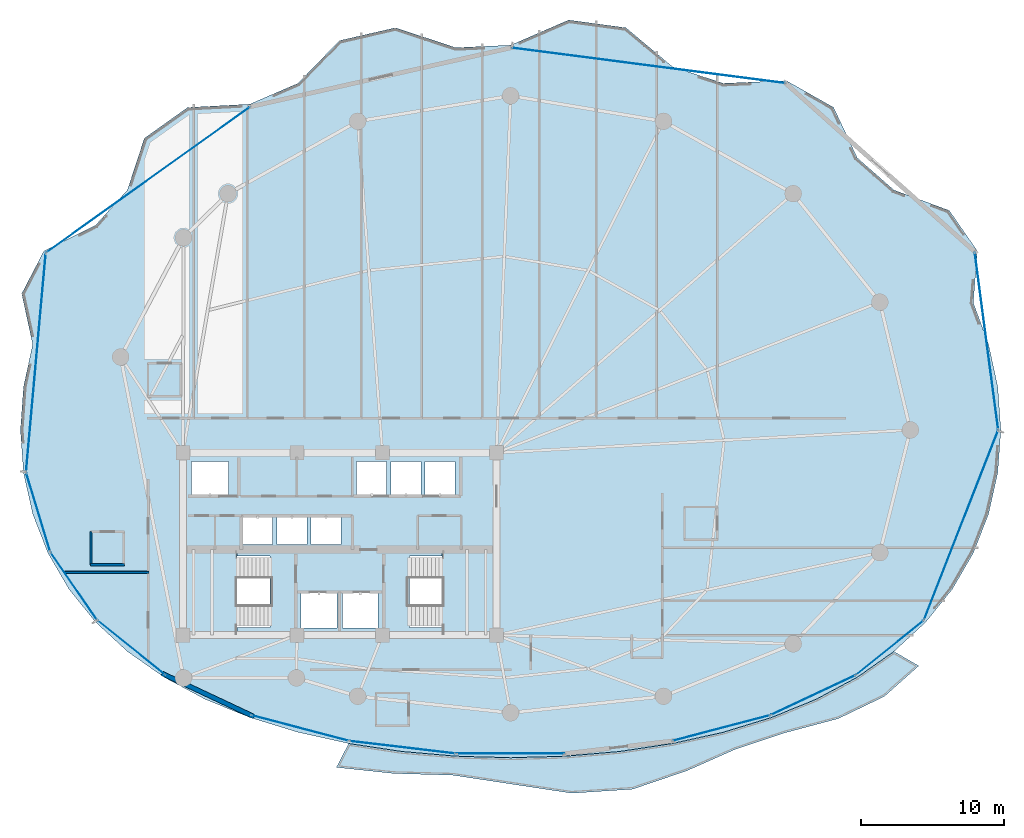
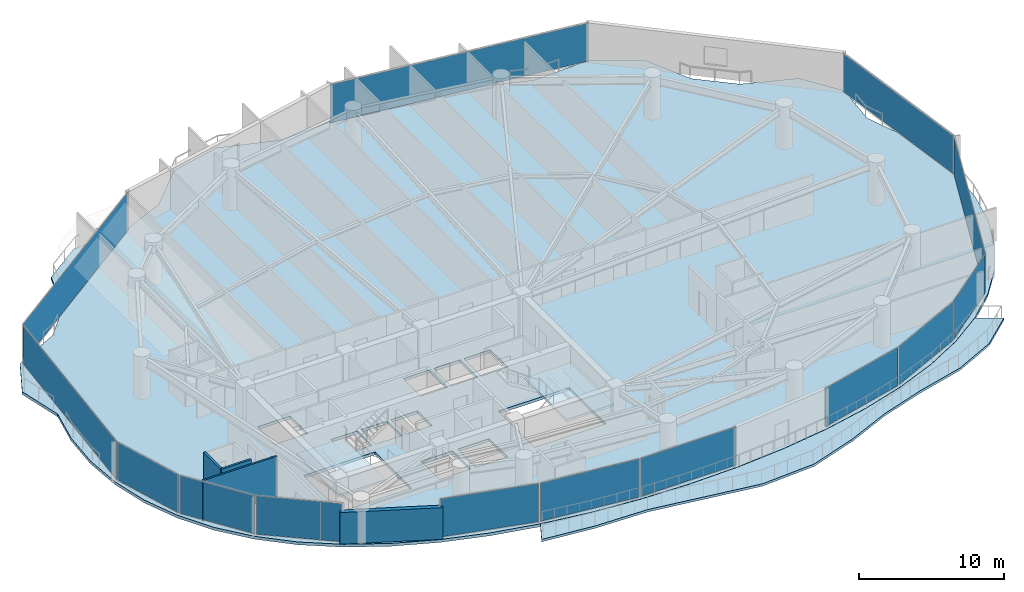
# One storey, part 25 of 33: 14 plates, 4 slabs, 4 walls, 16 elements without a shape of their own.
"""IFC4 building model written with IfcOpenShell, lengths in metres."""

from ifc_helpers import new_model, si_unit, direction, frame, frame_2d, origin, origin_2d, place, context, subcontext, project, spatial, polyline, rectangle, outline, extrude, material, layer, layer_set, type_object, element, aggregate, save


model = new_model("IFC4")

# Units and contexts
model_context = context("Model", 3, precision=1e-05, world=origin(), true_north=direction((0.0, 1.0)))
body_context = subcontext(model_context, "Body", "Model", "MODEL_VIEW")
ifc_project = project(units=[si_unit("LENGTHUNIT", "METRE"), si_unit("AREAUNIT", "SQUARE_METRE"), si_unit("VOLUMEUNIT", "CUBIC_METRE"), si_unit("PLANEANGLEUNIT", "RADIAN"), si_unit("MASSUNIT", "GRAM", prefix="KILO")], contexts=[model_context])

# Site, building, storey
site_placement = place(None, origin())
site = spatial("IfcSite", under=ifc_project, at=site_placement, CompositionType="ELEMENT")
building_placement = place(site_placement, origin())
building = spatial("IfcBuilding", under=site, at=building_placement, Name="Kazevale Care Tower and Concert Hall", CompositionType="ELEMENT")
storey_placement = place(building_placement, frame((0.0, 0.0, 145.800048828125)))
storey = spatial("IfcBuildingStorey", under=building, at=storey_placement, Name="L38", CompositionType="ELEMENT", Elevation=145.800048828125)

# Curtain wall, plate
ifc_material_1 = material(Name="Aluminium 6063-T6 and Low-E Glass", Category="aluminium")
ifc_layer_1 = layer(ifc_material_1, 0.179931640625)
ifc_layer_set_1 = layer_set([ifc_layer_1], Name="Aluminium 6063-T6 and Low-E Glass")
curtain_wall_type_1 = type_object("IfcCurtainWallType", Name="Convex Recessed Sunroom Curtain Wall CW-3", PredefinedType="NOTDEFINED", material=ifc_layer_set_1)
curtain_wall_1_placement = place(storey_placement, origin())
curtain_wall_1 = element("IfcCurtainWall", 1, at=curtain_wall_1_placement, inside=storey, type_object=curtain_wall_type_1, Name="cw:L38:f14", PredefinedType="NOTDEFINED")
ifc_material_2 = material(Name="Low-E Laminated Glass", Category="glass")
ifc_layer_2 = layer(ifc_material_2, 0.028076171875)
ifc_layer_set_2 = layer_set([ifc_layer_2], Name="Low-E Laminated Glass")
plate_type_1 = type_object("IfcPlateType", Name="CW-3 Low-E Glazing Panel 28mm", PredefinedType="CURTAIN_PANEL", material=ifc_layer_set_2)
plate_1_placement = place(storey_placement, frame((19.56103515625, 55.554931640625, 0.074951171875), z_axis=(0.0, 0.0, 1.0), x_axis=(0.813672201494, 0.58132396176, 0.0)))
plate_1 = element("IfcPlate", 2, at=plate_1_placement, type_object=plate_type_1, Name="CW-3 panel 1.1", PredefinedType="CURTAIN_PANEL", context=body_context, shape_type="SweptSolid", body=[
    extrude(rectangle(XDim=17.495849609375, YDim=0.028076171875, at=origin_2d()), origin(), (0.0, 0.0, 1.0), 3.2099609375),
])
aggregate(curtain_wall_1, [plate_1])

curtain_wall_2_placement = place(storey_placement, origin())
curtain_wall_2 = element("IfcCurtainWall", 3, at=curtain_wall_2_placement, inside=storey, type_object=curtain_wall_type_1, Name="cw:L38:f16", PredefinedType="NOTDEFINED")
plate_2_placement = place(storey_placement, frame((54.66845703125, 63.576416015625, 0.074951171875), z_axis=(0.0, 0.0, 1.0), x_axis=(0.99173542708, -0.128299815569, 0.0)))
plate_2 = element("IfcPlate", 4, at=plate_2_placement, type_object=plate_type_1, Name="CW-3 panel 1.1", PredefinedType="CURTAIN_PANEL", context=body_context, shape_type="SweptSolid", body=[
    extrude(rectangle(XDim=19.265380859375, YDim=0.028076171875, at=origin_2d()), origin(), (0.0, 0.0, 1.0), 3.2099609375),
])
aggregate(curtain_wall_2, [plate_2])

ifc_layer_3 = layer(ifc_material_1, 0.179931640625)
ifc_layer_set_3 = layer_set([ifc_layer_3], Name="Aluminium 6063-T6 and Low-E Glass")
curtain_wall_type_2 = type_object("IfcCurtainWallType", Name="Waist & Upper Residential Curtain Wall CW-4", PredefinedType="NOTDEFINED", material=ifc_layer_set_3)
curtain_wall_3_placement = place(storey_placement, origin())
curtain_wall_3 = element("IfcCurtainWall", 5, at=curtain_wall_3_placement, inside=storey, type_object=curtain_wall_type_2, Name="cw:L38:f01", PredefinedType="NOTDEFINED")
ifc_layer_4 = layer(ifc_material_2, 0.030029296875)
ifc_layer_set_4 = layer_set([ifc_layer_4], Name="Low-E Laminated Glass")
plate_type_2 = type_object("IfcPlateType", Name="CW-4 Low-E Glazing Panel 30mm", PredefinedType="CURTAIN_PANEL", material=ifc_layer_set_4)
plate_3_placement = place(storey_placement, frame((76.60791015625, 31.319091796875, 0.080078125), z_axis=(0.0, 0.0, 1.0), x_axis=(-0.36412075471, -0.931351746651, 0.0)))
plate_3 = element("IfcPlate", 6, at=plate_3_placement, type_object=plate_type_2, Name="CW-4 panel 1.1", PredefinedType="CURTAIN_PANEL", context=body_context, shape_type="SweptSolid", body=[
    extrude(rectangle(XDim=14.186767578125, YDim=0.030029296875, at=origin_2d()), origin(), (0.0, 0.0, 1.0), 3.199951171875),
])
aggregate(curtain_wall_3, [plate_3])

curtain_wall_4_placement = place(storey_placement, origin())
curtain_wall_4 = element("IfcCurtainWall", 7, at=curtain_wall_4_placement, inside=storey, type_object=curtain_wall_type_2, Name="cw:L38:f11", PredefinedType="NOTDEFINED")
plate_4_placement = place(storey_placement, frame((14.348388671875, 27.03955078125, 0.080078125), z_axis=(0.0, 0.0, 1.0), x_axis=(-0.567568708131, 0.823326035997, 0.0)))
plate_4 = element("IfcPlate", 8, at=plate_4_placement, type_object=plate_type_2, Name="CW-4 panel 1.1", PredefinedType="CURTAIN_PANEL", context=body_context, shape_type="SweptSolid", body=[
    extrude(rectangle(XDim=5.673583984375, YDim=0.030029296875, at=origin_2d()), origin(), (0.0, 0.0, 1.0), 3.199951171875),
])
aggregate(curtain_wall_4, [plate_4])

curtain_wall_5_placement = place(storey_placement, origin())
curtain_wall_5 = element("IfcCurtainWall", 9, at=curtain_wall_5_placement, inside=storey, type_object=curtain_wall_type_2, Name="cw:L38:f12", PredefinedType="NOTDEFINED")
plate_5_placement = place(storey_placement, frame((11.843994140625, 32.232421875, 0.080078125), z_axis=(0.0, 0.0, 1.0), x_axis=(-0.290977496961, 0.956729897234, 0.0)))
plate_5 = element("IfcPlate", 10, at=plate_5_placement, type_object=plate_type_2, Name="CW-4 panel 1.1", PredefinedType="CURTAIN_PANEL", context=body_context, shape_type="SweptSolid", body=[
    extrude(rectangle(XDim=5.675537109375, YDim=0.030029296875, at=origin_2d()), origin(), (0.0, 0.0, 1.0), 3.199951171875),
])
aggregate(curtain_wall_5, [plate_5])

curtain_wall_6_placement = place(storey_placement, origin())
curtain_wall_6 = element("IfcCurtainWall", 11, at=curtain_wall_6_placement, inside=storey, type_object=curtain_wall_type_2, Name="cw:L38:f13", PredefinedType="NOTDEFINED")
plate_6_placement = place(storey_placement, frame((11.6884765625, 42.72509765625, 0.080078125), z_axis=(0.0, 0.0, 1.0), x_axis=(0.089690298589, 0.995969703525, 0.0)))
plate_6 = element("IfcPlate", 12, at=plate_6_placement, type_object=plate_type_2, Name="CW-4 panel 1.1", PredefinedType="CURTAIN_PANEL", context=body_context, shape_type="SweptSolid", body=[
    extrude(rectangle(XDim=15.304443359375, YDim=0.030029296875, at=origin_2d()), origin(), (0.0, 0.0, 1.0), 3.199951171875),
])
aggregate(curtain_wall_6, [plate_6])

curtain_wall_7_placement = place(storey_placement, origin())
curtain_wall_7 = element("IfcCurtainWall", 13, at=curtain_wall_7_placement, inside=storey, type_object=curtain_wall_type_2, Name="cw:L38:f18", PredefinedType="NOTDEFINED")
plate_7_placement = place(storey_placement, frame((78.39306640625, 44.255615234375, 0.080078125), z_axis=(0.0, 0.0, 1.0), x_axis=(0.131063272711, -0.991374005382, 0.0)))
plate_7 = element("IfcPlate", 14, at=plate_7_placement, type_object=plate_type_2, Name="CW-4 panel 1.1", PredefinedType="CURTAIN_PANEL", context=body_context, shape_type="SweptSolid", body=[
    extrude(rectangle(XDim=12.4599609375, YDim=0.030029296875, at=origin_2d()), origin(), (0.0, 0.0, 1.0), 3.199951171875),
])
aggregate(curtain_wall_7, [plate_7])

ifc_layer_5 = layer(ifc_material_1, 0.179931640625)
ifc_layer_set_5 = layer_set([ifc_layer_5], Name="Aluminium 6063-T6 and Low-E Glass")
curtain_wall_type_3 = type_object("IfcCurtainWallType", Name="Sheltered Concave Balcony Curtain Wall CW-5", PredefinedType="NOTDEFINED", material=ifc_layer_set_5)
curtain_wall_8_placement = place(storey_placement, origin())
curtain_wall_8 = element("IfcCurtainWall", 15, at=curtain_wall_8_placement, inside=storey, type_object=curtain_wall_type_3, Name="cw:L38:f02", PredefinedType="NOTDEFINED")
ifc_layer_6 = layer(ifc_material_2, 0.02587890625)
ifc_layer_set_6 = layer_set([ifc_layer_6], Name="Low-E Laminated Glass")
plate_type_3 = type_object("IfcPlateType", Name="CW-5 Low-E Glazing Panel 26mm", PredefinedType="CURTAIN_PANEL", material=ifc_layer_set_6)
plate_8_placement = place(storey_placement, frame((71.613037109375, 22.720458984375, 0.074951171875), z_axis=(0.0, 0.0, 1.0), x_axis=(-0.779095419531, -0.626905357502, 0.0)))
plate_8 = element("IfcPlate", 16, at=plate_8_placement, type_object=plate_type_3, Name="CW-5 panel 1.1", PredefinedType="CURTAIN_PANEL", context=body_context, shape_type="SweptSolid", body=[
    extrude(rectangle(XDim=5.96728515625, YDim=0.02587890625, at=origin_2d()), origin(), (0.0, 0.0, 1.0), 3.2099609375),
])
aggregate(curtain_wall_8, [plate_8])

curtain_wall_9_placement = place(storey_placement, origin())
curtain_wall_9 = element("IfcCurtainWall", 17, at=curtain_wall_9_placement, inside=storey, type_object=curtain_wall_type_3, Name="cw:L38:f03", PredefinedType="NOTDEFINED")
plate_9_placement = place(storey_placement, frame((66.235595703125, 19.39697265625, 0.074951171875), z_axis=(0.0, 0.0, 1.0), x_axis=(-0.905188294205, -0.425010766963, 0.0)))
plate_9 = element("IfcPlate", 18, at=plate_9_placement, type_object=plate_type_3, Name="CW-5 panel 1.1", PredefinedType="CURTAIN_PANEL", context=body_context, shape_type="SweptSolid", body=[
    extrude(rectangle(XDim=6.46630859375, YDim=0.02587890625, at=origin_2d()), origin(), (0.0, 0.0, 1.0), 3.2099609375),
])
aggregate(curtain_wall_9, [plate_9])

curtain_wall_10_placement = place(storey_placement, origin())
curtain_wall_10 = element("IfcCurtainWall", 19, at=curtain_wall_10_placement, inside=storey, type_object=curtain_wall_type_3, Name="cw:L38:f04", PredefinedType="NOTDEFINED")
plate_10_placement = place(storey_placement, frame((59.784912109375, 17.08251953125, 0.074951171875), z_axis=(0.0, 0.0, 1.0), x_axis=(-0.967141564797, -0.254238458229, 0.0)))
plate_10 = element("IfcPlate", 20, at=plate_10_placement, type_object=plate_type_3, Name="CW-5 panel 1.1", PredefinedType="CURTAIN_PANEL", context=body_context, shape_type="SweptSolid", body=[
    extrude(rectangle(XDim=6.996826171875, YDim=0.02587890625, at=origin_2d()), origin(), (0.0, 0.0, 1.0), 3.2099609375),
])
aggregate(curtain_wall_10, [plate_10])

curtain_wall_11_placement = place(storey_placement, origin())
curtain_wall_11 = element("IfcCurtainWall", 21, at=curtain_wall_11_placement, inside=storey, type_object=curtain_wall_type_3, Name="cw:L38:f06", PredefinedType="NOTDEFINED")
plate_11_placement = place(storey_placement, frame((45.0, 15.2890625, 0.074951171875), z_axis=(0.0, 0.0, 1.0), x_axis=(-1.0, 0.0, 0.0)))
plate_11 = element("IfcPlate", 22, at=plate_11_placement, type_object=plate_type_3, Name="CW-5 panel 1.1", PredefinedType="CURTAIN_PANEL", context=body_context, shape_type="SweptSolid", body=[
    extrude(rectangle(XDim=7.531982421875, YDim=0.02587890625, at=origin_2d()), origin(), (0.0, 0.0, 1.0), 3.2099609375),
])
aggregate(curtain_wall_11, [plate_11])

curtain_wall_12_placement = place(storey_placement, origin())
curtain_wall_12 = element("IfcCurtainWall", 23, at=curtain_wall_12_placement, inside=storey, type_object=curtain_wall_type_3, Name="cw:L38:f07", PredefinedType="NOTDEFINED")
plate_12_placement = place(storey_placement, frame((37.4150390625, 15.7314453125, 0.074951171875), z_axis=(0.0, 0.0, 1.0), x_axis=(-0.993087997884, 0.117372179238, 0.0)))
plate_12 = element("IfcPlate", 24, at=plate_12_placement, type_object=plate_type_3, Name="CW-5 panel 1.1", PredefinedType="CURTAIN_PANEL", context=body_context, shape_type="SweptSolid", body=[
    extrude(rectangle(XDim=7.39013671875, YDim=0.02587890625, at=origin_2d()), origin(), (0.0, 0.0, 1.0), 3.2099609375),
])
aggregate(curtain_wall_12, [plate_12])

curtain_wall_13_placement = place(storey_placement, origin())
curtain_wall_13 = element("IfcCurtainWall", 25, at=curtain_wall_13_placement, inside=storey, type_object=curtain_wall_type_3, Name="cw:L38:f08", PredefinedType="NOTDEFINED")
plate_13_placement = place(storey_placement, frame((30.215087890625, 17.08251953125, 0.074951171875), z_axis=(0.0, 0.0, 1.0), x_axis=(-0.967141564797, 0.254238458229, 0.0)))
plate_13 = element("IfcPlate", 26, at=plate_13_placement, type_object=plate_type_3, Name="CW-5 panel 1.1", PredefinedType="CURTAIN_PANEL", context=body_context, shape_type="SweptSolid", body=[
    extrude(rectangle(XDim=6.996826171875, YDim=0.02587890625, at=origin_2d()), origin(), (0.0, 0.0, 1.0), 3.2099609375),
])
aggregate(curtain_wall_13, [plate_13])

curtain_wall_14_placement = place(storey_placement, origin())
curtain_wall_14 = element("IfcCurtainWall", 27, at=curtain_wall_14_placement, inside=storey, type_object=curtain_wall_type_3, Name="cw:L38:f10", PredefinedType="NOTDEFINED")
plate_14_placement = place(storey_placement, frame((18.386962890625, 22.720458984375, 0.074951171875), z_axis=(0.0, 0.0, 1.0), x_axis=(-0.779095419531, 0.626905357502, 0.0)))
plate_14 = element("IfcPlate", 28, at=plate_14_placement, type_object=plate_type_3, Name="CW-5 panel 1.1", PredefinedType="CURTAIN_PANEL", context=body_context, shape_type="SweptSolid", body=[
    extrude(rectangle(XDim=5.96728515625, YDim=0.02587890625, at=origin_2d()), origin(), (0.0, 0.0, 1.0), 3.2099609375),
])
aggregate(curtain_wall_14, [plate_14])

# Slab
ifc_material_3 = material(Name="Concrete C40", Category="concrete")
ifc_layer_7 = layer(ifc_material_3, 0.199951171875)
ifc_layer_set_7 = layer_set([ifc_layer_7], Name="Concrete C40")
slab_type_1 = type_object("IfcSlabType", Name="Sinusoidal Concave Balcony Slab 200", PredefinedType="USERDEFINED", material=ifc_layer_set_7)
slab_1_placement = place(storey_placement, frame((0.0, 0.0, -0.199951171875)))
element("IfcSlab", 29, at=slab_1_placement, inside=storey, type_object=slab_type_1, Name="slab:L38:bal", ObjectType="BALCONY", PredefinedType="USERDEFINED", context=body_context, shape_type="SweptSolid", body=[
    extrude(outline(polyline([(73.635986328125, 21.44677734375), (71.218994140625, 19.2978515625), (67.9931640625, 17.7451171875), (64.2705078125, 16.753662109375), (60.767578125, 15.591552734375), (57.35205078125, 14.079345703125), (53.55419921875, 12.789794921875), (49.289306640625, 12.508544921875), (45.0, 13.159423828125), (40.924072265625, 13.77685546875), (36.819580078125, 13.89111328125), (32.773193359375, 14.32177734375), (33.635986328125, 15.992919921875), (33.637451171875, 15.992431640625), (37.3447265625, 15.435546875), (41.148193359375, 15.104736328125), (45.0, 14.9951171875), (48.851806640625, 15.104736328125), (52.6552734375, 15.435546875), (56.362548828125, 15.992431640625), (59.927001953125, 16.783447265625), (63.3037109375, 17.81689453125), (66.4501953125, 19.101806640625), (69.3271484375, 20.64501953125), (71.898193359375, 22.44921875), (71.899658203125, 22.450439453125), (73.635986328125, 21.44677734375)])), origin(), (0.0, 0.0, 1.0), 0.199951171875),
])

# Stair, slab
stair_type = type_object("IfcStairType", Name="Exit Stair Assembly ST1-Z2", PredefinedType="HALF_TURN_STAIR", material=ifc_material_3)
stair_1_placement = place(storey_placement, origin())
stair_1 = element("IfcStair", 30, at=stair_1_placement, inside=storey, type_object=stair_type, Name="stair:L38:ST1", PredefinedType="HALF_TURN_STAIR")
ifc_layer_8 = layer(ifc_material_3, 0.199951171875)
ifc_layer_set_8 = layer_set([ifc_layer_8], Name="Concrete C40")
slab_type_2 = type_object("IfcSlabType", Name="Stair Half-Landing Slab ST1-Z2", PredefinedType="LANDING", material=ifc_layer_set_8)
slab_2_placement = place(storey_placement, frame((0.0, 0.0, 1.599853515625)))
slab_2 = element("IfcSlab", 31, at=slab_2_placement, type_object=slab_type_2, Name="ST1-Z2 landing 1", PredefinedType="LANDING", context=body_context, shape_type="SweptSolid", body=[
    extrude(outline(polyline([(22.050048828125, 23.699951171875), (25.81005859375, 23.699951171875), (25.81005859375, 29.5), (22.050048828125, 29.5), (22.050048828125, 23.699951171875)])), origin(), (0.0, 0.0, 1.0), 0.2001953125),
])
aggregate(stair_1, [slab_2])

stair_2_placement = place(storey_placement, origin())
stair_2 = element("IfcStair", 32, at=stair_2_placement, inside=storey, type_object=stair_type, Name="stair:L38:ST2", PredefinedType="HALF_TURN_STAIR")
slab_3_placement = place(storey_placement, frame((0.0, 0.0, 1.599853515625)))
slab_3 = element("IfcSlab", 33, at=slab_3_placement, type_object=slab_type_2, Name="ST1-Z2 landing 1", PredefinedType="LANDING", context=body_context, shape_type="SweptSolid", body=[
    extrude(outline(polyline([(40.18994140625, 23.699951171875), (43.949951171875, 23.699951171875), (43.949951171875, 29.5), (40.18994140625, 29.5), (40.18994140625, 23.699951171875)])), origin(), (0.0, 0.0, 1.0), 0.2001953125),
])
aggregate(stair_2, [slab_3])

# Slab
ifc_layer_9 = layer(ifc_material_3, 0.239990234375)
ifc_layer_set_9 = layer_set([ifc_layer_9], Name="Concrete C40")
slab_type_3 = type_object("IfcSlabType", Name="Tower Typical Floor Slab 240", PredefinedType="FLOOR", material=ifc_layer_set_9)
slab_4_placement = place(storey_placement, frame((0.0, 0.0, -0.239990234375)))
element("IfcSlab", 34, at=slab_4_placement, inside=storey, type_object=slab_type_3, Name="slab:L38:tw:1", PredefinedType="FLOOR", context=body_context, shape_type="SweptSolid", body=[
    extrude(outline(polyline([(79.39990234375, 38.0), (79.18359375, 41.02294921875), (78.53759765625, 44.008056640625), (77.469482421875, 46.91748046875), (77.750244140625, 50.560791015625), (75.7783203125, 53.40234375), (71.89501953125, 54.834228515625), (69.324462890625, 57.091796875), (67.663818359375, 60.634033203125), (64.33935546875, 62.5126953125), (59.925537109375, 62.326171875), (56.361572265625, 63.48486328125), (53.088623046875, 66.22412109375), (49.06982421875, 66.76806640625), (45.0, 65.0), (41.1484375, 64.830078125), (36.911376953125, 66.22412109375), (32.994384765625, 65.325439453125), (30.074462890625, 62.326171875), (26.697998046875, 60.861572265625), (22.336181640625, 60.634033203125), (19.296630859375, 58.470703125), (18.10498046875, 54.834228515625), (15.872802734375, 52.364990234375), (12.249755859375, 50.560791015625), (10.689697265625, 47.5615234375), (11.46240234375, 44.008056640625), (10.81640625, 41.02294921875), (10.60009765625, 38.0), (10.81640625, 34.997802734375), (11.46240234375, 32.1005859375), (12.530517578125, 29.362548828125), (14.006591796875, 26.82421875), (15.872802734375, 24.514892578125), (18.10498046875, 22.452880859375), (20.675537109375, 20.649169921875), (23.552001953125, 19.1064453125), (26.697998046875, 17.821533203125), (30.074462890625, 16.7880859375), (33.638427734375, 15.997314453125), (37.34521484375, 15.4404296875), (41.1484375, 15.109619140625), (45.0, 15.0), (48.8515625, 15.109619140625), (52.65478515625, 15.4404296875), (56.361572265625, 15.997314453125), (59.925537109375, 16.7880859375), (63.302001953125, 17.821533203125), (66.447998046875, 19.1064453125), (69.324462890625, 20.649169921875), (71.89501953125, 22.452880859375), (74.127197265625, 24.514892578125), (75.993408203125, 26.82421875), (77.469482421875, 29.362548828125), (78.53759765625, 32.1005859375), (79.18359375, 34.997802734375), (79.39990234375, 38.0)]), holes=[polyline([(22.449951171875, 24.14990234375), (28.110107421875, 24.14990234375), (28.110107421875, 29.14990234375), (22.449951171875, 29.14990234375), (22.449951171875, 24.14990234375)]), polyline([(37.889892578125, 24.14990234375), (43.550048828125, 24.14990234375), (43.550048828125, 29.14990234375), (37.889892578125, 29.14990234375), (37.889892578125, 24.14990234375)]), polyline([(30.300048828125, 24.10009765625), (32.800048828125, 24.10009765625), (32.800048828125, 26.60009765625), (30.300048828125, 26.60009765625), (30.300048828125, 24.10009765625)]), polyline([(33.199951171875, 24.10009765625), (35.699951171875, 24.10009765625), (35.699951171875, 26.60009765625), (33.199951171875, 26.60009765625), (33.199951171875, 24.10009765625)]), polyline([(22.60009765625, 33.39990234375), (25.199951171875, 33.39990234375), (25.199951171875, 35.800048828125), (22.60009765625, 35.800048828125), (22.60009765625, 33.39990234375)]), polyline([(34.199951171875, 33.39990234375), (36.300048828125, 33.39990234375), (36.300048828125, 35.800048828125), (34.199951171875, 35.800048828125), (34.199951171875, 33.39990234375)]), polyline([(36.60009765625, 33.39990234375), (38.699951171875, 33.39990234375), (38.699951171875, 35.800048828125), (36.60009765625, 35.800048828125), (36.60009765625, 33.39990234375)]), polyline([(39.0, 33.39990234375), (41.10009765625, 33.39990234375), (41.10009765625, 35.800048828125), (39.0, 35.800048828125), (39.0, 33.39990234375)]), polyline([(26.199951171875, 29.949951171875), (28.300048828125, 29.949951171875), (28.300048828125, 31.949951171875), (26.199951171875, 31.949951171875), (26.199951171875, 29.949951171875)]), polyline([(28.60009765625, 29.949951171875), (30.699951171875, 29.949951171875), (30.699951171875, 31.949951171875), (28.60009765625, 31.949951171875), (28.60009765625, 29.949951171875)]), polyline([(31.0, 29.949951171875), (33.10009765625, 29.949951171875), (33.10009765625, 31.949951171875), (31.0, 31.949951171875), (31.0, 29.949951171875)])]), origin(), (0.0, 0.0, 1.0), 0.239990234375),
])

# Walls
ifc_material_4 = material(Name="Acoustic Gypsum on Steel Stud", Category="steel")
ifc_layer_10 = layer(ifc_material_4, 0.139892578125)
ifc_layer_set_10 = layer_set([ifc_layer_10], Name="Acoustic Gypsum on Steel Stud")
wall_type_1 = type_object("IfcWallType", Name="Acoustic Care & Suite Partition 140", PredefinedType="PARTITIONING", material=ifc_layer_set_10)
wall_1_placement = place(storey_placement, frame((13.6962890625, 28.0, 0.0), z_axis=(0.0, 0.0, 1.0), x_axis=(1.0, 0.0, 0.0)))
element("IfcWall", 35, at=wall_1_placement, inside=storey, type_object=wall_type_1, Name="wall:L38:auto_035", PredefinedType="PARTITIONING", context=body_context, shape_type="SweptSolid", body=[
    extrude(rectangle(XDim=5.90869140625, YDim=0.139892578125, at=frame_2d((2.954345703125, 0.0))), origin(), (0.0, 0.0, 1.0), 3.35986328125),
])
ifc_layer_11 = layer(ifc_material_4, 0.159912109375)
ifc_layer_set_11 = layer_set([ifc_layer_11], Name="Acoustic Gypsum on Steel Stud")
wall_type_2 = type_object("IfcWallType", Name="Moisture-Resistant Bathroom Plumbing Wall 160", PredefinedType="PLUMBINGWALL", material=ifc_layer_set_11)
for number, where, z_axis, x_axis, name in (
    (36, (15.508056640625, 28.550048828125, 0.0), (0.0, 0.0, 1.0), (1.0, 0.0, 0.0), "wall:L38:wb2_ens_ws"),
    (37, (15.548095703125, 28.510009765625, 0.0), (0.0, 0.0, 1.0), (0.0, 1.0, 0.0), "wall:L38:wb2_ens_ww"),
):
    element("IfcWall", number, at=place(storey_placement, frame(where, z_axis=z_axis, x_axis=x_axis)), inside=storey, type_object=wall_type_2, Name=name, PredefinedType="PLUMBINGWALL", context=body_context, shape_type="SweptSolid", body=[
        extrude(rectangle(XDim=2.3798828125, YDim=0.159912109375, at=frame_2d((1.18994140625, 0.0))), origin(), (0.0, 0.0, 1.0), 3.35986328125),
    ])
ifc_material_5 = material(Name="Concrete C40 with Honed Limestone Cladding", Category="masonry")
ifc_layer_12 = layer(ifc_material_5, 0.320068359375)
ifc_layer_set_12 = layer_set([ifc_layer_12], Name="Concrete C40 with Honed Limestone Cladding")
wall_type_3 = type_object("IfcWallType", Name="Tower Honed Limestone Spandrel Wall 320", PredefinedType="STANDARD", material=ifc_layer_set_12)
wall_2_placement = place(storey_placement, frame((26.993896484375, 17.8798828125, 0.0), z_axis=(0.0, 0.0, 1.0), x_axis=(-0.905106920297, 0.425184034073, 0.0)))
element("IfcWall", 38, at=wall_2_placement, inside=storey, type_object=wall_type_3, Name="wall:cw:L38:f09", PredefinedType="STANDARD", context=body_context, shape_type="SweptSolid", body=[
    extrude(rectangle(XDim=7.13623046875, YDim=0.320068359375, at=frame_2d((3.568115234375, 0.0))), origin(), (0.0, 0.0, 1.0), 2.656982421875),
])

save(model, "model.ifc")
